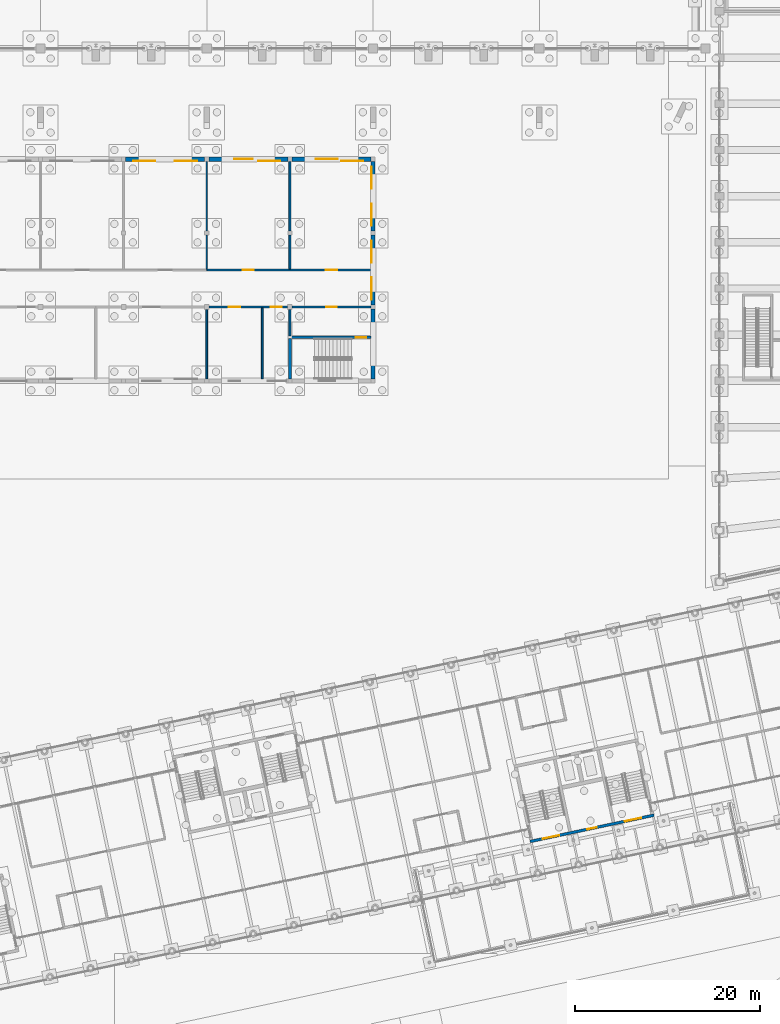
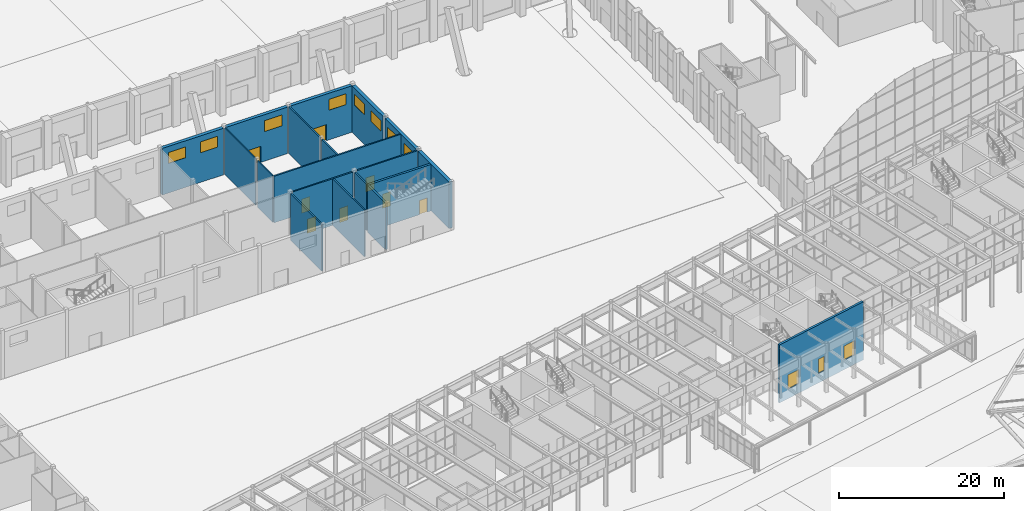
# One storey, part 171 of 239: 19 walls, 11 doors, 8 windows, 19 openings.
"""IFC4 building model written with IfcOpenShell, lengths in metres."""

from ifc_helpers import new_model, si_unit, direction, frame, frame_2d, origin, place, context, subcontext, project, spatial, rectangle, extrude, material, layer, layer_set, type_object, element, fill, save


model = new_model("IFC4")

# Units and contexts
model_context = context("Model", 3, precision=1e-05, world=origin(), true_north=direction((0.0, 1.0)))
body_context = subcontext(model_context, "Body", "Model", "MODEL_VIEW")
ifc_project = project(units=[si_unit("LENGTHUNIT", "METRE"), si_unit("AREAUNIT", "SQUARE_METRE"), si_unit("VOLUMEUNIT", "CUBIC_METRE"), si_unit("PLANEANGLEUNIT", "RADIAN"), si_unit("MASSUNIT", "GRAM", prefix="KILO")], contexts=[model_context])

# Site, building, storey
site_placement = place(None, origin())
site = spatial("IfcSite", under=ifc_project, at=site_placement, CompositionType="ELEMENT")
building_placement = place(site_placement, origin())
building = spatial("IfcBuilding", under=site, at=building_placement, Name="Okhra Congress Centre", CompositionType="ELEMENT")
storey_placement = place(building_placement, origin())
storey = spatial("IfcBuildingStorey", under=building, at=storey_placement, Name="L00", CompositionType="ELEMENT", Elevation=0.0)

# Walls
ifc_material_1 = material(Name="Insulated PIR sandwich panel with stainless steel skins", Category="steel")
ifc_layer_1 = layer(ifc_material_1, 0.14990234375)
ifc_layer_set_1 = layer_set([ifc_layer_1], Name="Insulated cold store panel wall 150 EI 45")
wall_type_1 = type_object("IfcWallType", Name="Insulated cold store panel wall 150 EI 45", PredefinedType="PARTITIONING", material=ifc_layer_set_1)
wall_1_placement = place(storey_placement, frame((100.0, 108.10009765625, 0.0), z_axis=(0.0, 0.0, 1.0), x_axis=(0.0, 1.0, 0.0)))
element("IfcWall", 1, at=wall_1_placement, inside=storey, type_object=wall_type_1, Name="SV.WALL.L00.65", PredefinedType="PARTITIONING", context=body_context, shape_type="SweptSolid", body=[
    extrude(rectangle(XDim=3.6748046875, YDim=0.14990234375, at=frame_2d((1.83740234375, 0.0))), origin(), (0.0, 0.0, 1.0), 6.89990234375),
])
wall_2_placement = place(storey_placement, frame((100.0, 112.22509765625, 0.0), z_axis=(0.0, 0.0, 1.0), x_axis=(0.0, 1.0, 0.0)))
element("IfcWall", 2, at=wall_2_placement, inside=storey, type_object=wall_type_1, Name="SV.WALL.L00.66", PredefinedType="PARTITIONING", context=body_context, shape_type="SweptSolid", body=[
    extrude(rectangle(XDim=7.5498046875, YDim=0.14990234375, at=frame_2d((3.77490234375, 0.0))), origin(), (0.0, 0.0, 1.0), 6.89990234375),
])

# Wall, openings, doors
ifc_material_2 = material(Name="Masonry blockwork (aerated concrete D500)", Category="masonry")
ifc_layer_2 = layer(ifc_material_2, 0.199951171875)
ifc_layer_set_2 = layer_set([ifc_layer_2], Name="Masonry block wall 200 EI 45")
wall_type_2 = type_object("IfcWallType", Name="Masonry block wall 200 EI 45", PredefinedType="SOLIDWALL", material=ifc_layer_set_2)
wall_3_placement = place(storey_placement, frame((100.25, 104.0, 0.0), z_axis=(0.0, 0.0, 1.0), x_axis=(1.0, 0.0, 0.0)))
wall_3 = element("IfcWall", 3, at=wall_3_placement, inside=storey, type_object=wall_type_2, Name="SV.WALL.L00.26", PredefinedType="SOLIDWALL", context=body_context, shape_type="SweptSolid", body=[
    extrude(rectangle(XDim=8.5, YDim=0.199951171875, at=frame_2d((4.25, 0.0))), origin(), (0.0, 0.0, 1.0), 6.89990234375),
])
opening_1_placement = place(wall_3_placement, frame((2.14990234375, 0.0, 0.0)))
opening_1 = element("IfcOpeningElement", 4, at=opening_1_placement, cuts=wall_3, Name="Opening L00-148", PredefinedType="OPENING", context=body_context, shape_type="SweptSolid", body=[
    extrude(rectangle(XDim=1.199951171875, YDim=2.10009765625, at=frame_2d((0.60009765625, 1.050048828125))), frame((0.0, 0.10986328125, 0.0), z_axis=(0.0, -1.0, 0.0), x_axis=(1.0, 0.0, 0.0)), (0.0, 0.0, 1.0), 0.219970703125),
])
opening_2_placement = place(wall_3_placement, frame((6.64990234375, 0.0, 0.0)))
opening_2 = element("IfcOpeningElement", 5, at=opening_2_placement, cuts=wall_3, Name="Opening L00-149", PredefinedType="OPENING", context=body_context, shape_type="SweptSolid", body=[
    extrude(rectangle(XDim=1.199951171875, YDim=2.10009765625, at=frame_2d((0.60009765625, 1.050048828125))), frame((0.0, 0.10986328125, 0.0), z_axis=(0.0, -1.0, 0.0), x_axis=(1.0, 0.0, 0.0)), (0.0, 0.0, 1.0), 0.219970703125),
])
ifc_material_3 = material(Name="Steel fire door leaf in steel frame, intumescent seals", Category="steel")
door_type_1 = type_object("IfcDoorType", Name="Steel fire door 1200x2100 EI 30", OperationType="NOTDEFINED", PredefinedType="DOOR", material=ifc_material_3)
door_1_placement = place(opening_1_placement, origin())
door_1 = element("IfcDoor", 6, at=door_1_placement, inside=storey, type_object=door_type_1, Name="Door L00-148", OperationType="SINGLE_SWING_RIGHT", OverallHeight=2.10009765625, OverallWidth=1.199951171875, PredefinedType="DOOR", context=body_context, shape_type="SweptSolid", body=[
    extrude(rectangle(XDim=1.199951171875, YDim=2.10009765625, at=frame_2d((0.60009765625, 1.050048828125))), frame((0.0, 0.02490234375, 0.0), z_axis=(0.0, -1.0, 0.0), x_axis=(1.0, 0.0, 0.0)), (0.0, 0.0, 1.0), 0.050048828125),
])
fill(opening_1, door_1)
door_2_placement = place(opening_2_placement, origin())
door_2 = element("IfcDoor", 7, at=door_2_placement, inside=storey, type_object=door_type_1, Name="Door L00-149", OperationType="SINGLE_SWING_LEFT", OverallHeight=2.10009765625, OverallWidth=1.199951171875, PredefinedType="DOOR", context=body_context, shape_type="SweptSolid", body=[
    extrude(rectangle(XDim=1.199951171875, YDim=2.10009765625, at=frame_2d((0.60009765625, 1.050048828125))), frame((0.0, 0.02490234375, 0.0), z_axis=(0.0, -1.0, 0.0), x_axis=(1.0, 0.0, 0.0)), (0.0, 0.0, 1.0), 0.050048828125),
])
fill(opening_2, door_2)

# Wall, opening, door
wall_4_placement = place(storey_placement, frame((109.25, 104.0, 0.0), z_axis=(0.0, 0.0, 1.0), x_axis=(1.0, 0.0, 0.0)))
wall_4 = element("IfcWall", 8, at=wall_4_placement, inside=storey, type_object=wall_type_2, Name="SV.WALL.L00.27", PredefinedType="SOLIDWALL", context=body_context, shape_type="SweptSolid", body=[
    extrude(rectangle(XDim=8.52490234375, YDim=0.199951171875, at=frame_2d((4.262451171875, 0.0))), origin(), (0.0, 0.0, 1.0), 6.89990234375),
])
opening_3_placement = place(wall_4_placement, frame((3.699951171875, 0.0, 0.0)))
opening_3 = element("IfcOpeningElement", 9, at=opening_3_placement, cuts=wall_4, Name="Opening L00-139", PredefinedType="OPENING", context=body_context, shape_type="SweptSolid", body=[
    extrude(rectangle(XDim=1.10009765625, YDim=2.10009765625, at=frame_2d((0.550048828125, 1.050048828125))), frame((0.0, 0.10986328125, 0.0), z_axis=(0.0, -1.0, 0.0), x_axis=(1.0, 0.0, 0.0)), (0.0, 0.0, 1.0), 0.219970703125),
])
door_type_2 = type_object("IfcDoorType", Name="Steel fire door 1100x2100 EI 30", OperationType="NOTDEFINED", PredefinedType="DOOR", material=ifc_material_3)
door_3_placement = place(opening_3_placement, frame((1.10009765625, 0.0, 0.0), z_axis=(0.0, 0.0, 1.0), x_axis=(-1.0, 0.0, 0.0)))
door_3 = element("IfcDoor", 10, at=door_3_placement, inside=storey, type_object=door_type_2, Name="Stair C lobby door", OperationType="SINGLE_SWING_RIGHT", OverallHeight=2.10009765625, OverallWidth=1.10009765625, PredefinedType="DOOR", context=body_context, shape_type="SweptSolid", body=[
    extrude(rectangle(XDim=1.10009765625, YDim=2.10009765625, at=frame_2d((0.550048828125, 1.050048828125))), frame((0.0, 0.02490234375, 0.0), z_axis=(0.0, -1.0, 0.0), x_axis=(1.0, 0.0, 0.0)), (0.0, 0.0, 1.0), 0.050048828125),
])
fill(opening_3, door_3)

# Wall, openings, doors
wall_5_placement = place(storey_placement, frame((100.0, 108.0, 0.0), z_axis=(0.0, 0.0, 1.0), x_axis=(1.0, 0.0, 0.0)))
wall_5 = element("IfcWall", 11, at=wall_5_placement, inside=storey, type_object=wall_type_2, Name="SV.WALL.L00.31", PredefinedType="SOLIDWALL", context=body_context, shape_type="SweptSolid", body=[
    extrude(rectangle(XDim=17.77490234375, YDim=0.199951171875, at=frame_2d((8.887451171875, 0.0))), origin(), (0.0, 0.0, 1.0), 6.89990234375),
])
opening_4_placement = place(wall_5_placement, frame((3.89990234375, 0.0, 0.0)))
opening_4 = element("IfcOpeningElement", 12, at=opening_4_placement, cuts=wall_5, Name="Opening L00-156", PredefinedType="OPENING", context=body_context, shape_type="SweptSolid", body=[
    extrude(rectangle(XDim=1.199951171875, YDim=2.10009765625, at=frame_2d((0.60009765625, 1.050048828125))), frame((0.0, 0.10986328125, 0.0), z_axis=(0.0, -1.0, 0.0), x_axis=(1.0, 0.0, 0.0)), (0.0, 0.0, 1.0), 0.219970703125),
])
opening_5_placement = place(wall_5_placement, frame((12.89990234375, 0.0, 0.0)))
opening_5 = element("IfcOpeningElement", 13, at=opening_5_placement, cuts=wall_5, Name="Opening L00-157", PredefinedType="OPENING", context=body_context, shape_type="SweptSolid", body=[
    extrude(rectangle(XDim=1.199951171875, YDim=2.10009765625, at=frame_2d((0.60009765625, 1.050048828125))), frame((0.0, 0.10986328125, 0.0), z_axis=(0.0, -1.0, 0.0), x_axis=(1.0, 0.0, 0.0)), (0.0, 0.0, 1.0), 0.219970703125),
])
door_4_placement = place(opening_4_placement, frame((1.199951171875, 0.0, 0.0), z_axis=(0.0, 0.0, 1.0), x_axis=(-1.0, 0.0, 0.0)))
door_4 = element("IfcDoor", 14, at=door_4_placement, inside=storey, type_object=door_type_1, Name="Door L00-156", OperationType="SINGLE_SWING_LEFT", OverallHeight=2.10009765625, OverallWidth=1.199951171875, PredefinedType="DOOR", context=body_context, shape_type="SweptSolid", body=[
    extrude(rectangle(XDim=1.199951171875, YDim=2.10009765625, at=frame_2d((0.60009765625, 1.050048828125))), frame((0.0, 0.02490234375, 0.0), z_axis=(0.0, -1.0, 0.0), x_axis=(1.0, 0.0, 0.0)), (0.0, 0.0, 1.0), 0.050048828125),
])
fill(opening_4, door_4)
door_5_placement = place(opening_5_placement, frame((1.199951171875, 0.0, 0.0), z_axis=(0.0, 0.0, 1.0), x_axis=(-1.0, 0.0, 0.0)))
door_5 = element("IfcDoor", 15, at=door_5_placement, inside=storey, type_object=door_type_1, Name="Door L00-157", OperationType="SINGLE_SWING_RIGHT", OverallHeight=2.10009765625, OverallWidth=1.199951171875, PredefinedType="DOOR", context=body_context, shape_type="SweptSolid", body=[
    extrude(rectangle(XDim=1.199951171875, YDim=2.10009765625, at=frame_2d((0.60009765625, 1.050048828125))), frame((0.0, 0.02490234375, 0.0), z_axis=(0.0, -1.0, 0.0), x_axis=(1.0, 0.0, 0.0)), (0.0, 0.0, 1.0), 0.050048828125),
])
fill(opening_5, door_5)

# Walls
wall_6_placement = place(storey_placement, frame((100.0, 96.22509765625, 0.0), z_axis=(0.0, 0.0, 1.0), x_axis=(0.0, 1.0, 0.0)))
element("IfcWall", 16, at=wall_6_placement, inside=storey, type_object=wall_type_2, Name="SV.WALL.L00.64", PredefinedType="SOLIDWALL", context=body_context, shape_type="SweptSolid", body=[
    extrude(rectangle(XDim=7.52490234375, YDim=0.199951171875, at=frame_2d((3.762451171875, 0.0))), origin(), (0.0, 0.0, 1.0), 6.89990234375),
])
wall_7_placement = place(storey_placement, frame((106.0, 96.22509765625, 0.0), z_axis=(0.0, 0.0, 1.0), x_axis=(0.0, 1.0, 0.0)))
element("IfcWall", 17, at=wall_7_placement, inside=storey, type_object=wall_type_2, Name="SV.WALL.L00.67", PredefinedType="SOLIDWALL", context=body_context, shape_type="SweptSolid", body=[
    extrude(rectangle(XDim=7.6748046875, YDim=0.199951171875, at=frame_2d((3.83740234375, 0.0))), origin(), (0.0, 0.0, 1.0), 6.89990234375),
])
wall_8_placement = place(storey_placement, frame((109.0, 100.875, 0.0), z_axis=(0.0, 0.0, 1.0), x_axis=(0.0, 1.0, 0.0)))
element("IfcWall", 18, at=wall_8_placement, inside=storey, type_object=wall_type_2, Name="SV.WALL.L00.69", PredefinedType="SOLIDWALL", context=body_context, shape_type="SweptSolid", body=[
    extrude(rectangle(XDim=2.875, YDim=0.199951171875, at=frame_2d((1.4375, 0.0))), origin(), (0.0, 0.0, 1.0), 6.89990234375),
])
wall_9_placement = place(storey_placement, frame((109.0, 108.10009765625, 0.0), z_axis=(0.0, 0.0, 1.0), x_axis=(0.0, 1.0, 0.0)))
element("IfcWall", 19, at=wall_9_placement, inside=storey, type_object=wall_type_2, Name="SV.WALL.L00.70", PredefinedType="SOLIDWALL", context=body_context, shape_type="SweptSolid", body=[
    extrude(rectangle(XDim=3.6748046875, YDim=0.199951171875, at=frame_2d((1.83740234375, 0.0))), origin(), (0.0, 0.0, 1.0), 6.89990234375),
])
wall_10_placement = place(storey_placement, frame((109.0, 112.22509765625, 0.0), z_axis=(0.0, 0.0, 1.0), x_axis=(0.0, 1.0, 0.0)))
element("IfcWall", 20, at=wall_10_placement, inside=storey, type_object=wall_type_2, Name="SV.WALL.L00.71", PredefinedType="SOLIDWALL", context=body_context, shape_type="SweptSolid", body=[
    extrude(rectangle(XDim=7.5498046875, YDim=0.199951171875, at=frame_2d((3.77490234375, 0.0))), origin(), (0.0, 0.0, 1.0), 6.89990234375),
])

# Wall, openings, doors
ifc_material_4 = material(Name="Concrete C35/45", Category="concrete")
ifc_layer_3 = layer(ifc_material_4, 0.300048828125)
ifc_layer_set_3 = layer_set([ifc_layer_3], Name="RC core wall 300 REI 120 C35/45")
wall_type_3 = type_object("IfcWallType", Name="RC core wall 300 REI 120 C35/45", PredefinedType="SHEAR", material=ifc_layer_set_3)
wall_11_placement = place(storey_placement, frame((135.008544921875, 46.1416015625, -1.39990234375), z_axis=(0.0, 0.0, 1.0), x_axis=(0.978147662755, 0.20791139903, 0.0)))
wall_11 = element("IfcWall", 21, at=wall_11_placement, inside=storey, type_object=wall_type_3, Name="BX.WALL.L00.K3S", PredefinedType="SHEAR", context=body_context, shape_type="SweptSolid", body=[
    extrude(rectangle(XDim=13.699951171875, YDim=0.300048828125, at=frame_2d((6.85009765625, 0.0))), origin(), (0.0, 0.0, 1.0), 8.599853515625),
])
opening_6_placement = place(wall_11_placement, frame((1.39990234375, 0.0, 1.39990234375)))
opening_6 = element("IfcOpeningElement", 22, at=opening_6_placement, cuts=wall_11, Name="Opening L00-264", PredefinedType="OPENING", context=body_context, shape_type="SweptSolid", body=[
    extrude(rectangle(XDim=1.800048828125, YDim=2.10009765625, at=frame_2d((0.89990234375, 1.050048828125))), frame((0.0, 0.159912109375, 0.0), z_axis=(0.0, -1.0, 0.0), x_axis=(1.0, 0.0, 0.0)), (0.0, 0.0, 1.0), 0.320068359375),
])
opening_7_placement = place(wall_11_placement, frame((10.5, 0.0, 1.39990234375)))
opening_7 = element("IfcOpeningElement", 23, at=opening_7_placement, cuts=wall_11, Name="Opening L00-265", PredefinedType="OPENING", context=body_context, shape_type="SweptSolid", body=[
    extrude(rectangle(XDim=1.800048828125, YDim=2.10009765625, at=frame_2d((0.89990234375, 1.050048828125))), frame((0.0, 0.159912109375, 0.0), z_axis=(0.0, -1.0, 0.0), x_axis=(1.0, 0.0, 0.0)), (0.0, 0.0, 1.0), 0.320068359375),
])
opening_8_placement = place(wall_11_placement, frame((6.35009765625, 0.0, 1.39990234375)))
opening_8 = element("IfcOpeningElement", 24, at=opening_8_placement, cuts=wall_11, Name="Opening L00-266", PredefinedType="OPENING", context=body_context, shape_type="SweptSolid", body=[
    extrude(rectangle(XDim=1.0, YDim=2.10009765625, at=frame_2d((0.5, 1.050048828125))), frame((0.0, 0.159912109375, 0.0), z_axis=(0.0, -1.0, 0.0), x_axis=(1.0, 0.0, 0.0)), (0.0, 0.0, 1.0), 0.320068359375),
])
door_type_3 = type_object("IfcDoorType", Name="Steel fire door 1000x2100 EI 30", OperationType="NOTDEFINED", PredefinedType="DOOR", material=ifc_material_3)
door_6_placement = place(opening_8_placement, frame((1.0, 0.0, 0.0), z_axis=(0.0, 0.0, 1.0), x_axis=(-1.0, 0.0, 0.0)))
door_6 = element("IfcDoor", 25, at=door_6_placement, inside=storey, type_object=door_type_3, Name="Door L00-266", OperationType="SINGLE_SWING_LEFT", OverallHeight=2.10009765625, OverallWidth=1.0, PredefinedType="DOOR", context=body_context, shape_type="SweptSolid", body=[
    extrude(rectangle(XDim=1.0, YDim=2.10009765625, at=frame_2d((0.5, 1.050048828125))), frame((0.0, 0.02490234375, 0.0), z_axis=(0.0, -1.0, 0.0), x_axis=(1.0, 0.0, 0.0)), (0.0, 0.0, 1.0), 0.050048828125),
])
fill(opening_8, door_6)
ifc_material_5 = material(Name="Steel fire door leaves in steel frame, intumescent seals", Category="steel")
door_type_4 = type_object("IfcDoorType", Name="Steel fire door pair 1800x2100 EI 30", OperationType="NOTDEFINED", PredefinedType="DOOR", material=ifc_material_5)
door_7_placement = place(opening_6_placement, frame((1.800048828125, 0.0, 0.0), z_axis=(0.0, 0.0, 1.0), x_axis=(-1.0, 0.0, 0.0)))
door_7 = element("IfcDoor", 26, at=door_7_placement, inside=storey, type_object=door_type_4, Name="Door L00-264", OperationType="DOUBLE_DOOR_SINGLE_SWING", OverallHeight=2.10009765625, OverallWidth=1.800048828125, PredefinedType="DOOR", context=body_context, shape_type="SweptSolid", body=[
    extrude(rectangle(XDim=1.800048828125, YDim=2.10009765625, at=frame_2d((0.89990234375, 1.050048828125))), frame((0.0, 0.02490234375, 0.0), z_axis=(0.0, -1.0, 0.0), x_axis=(1.0, 0.0, 0.0)), (0.0, 0.0, 1.0), 0.050048828125),
])
fill(opening_6, door_7)
door_8_placement = place(opening_7_placement, frame((1.800048828125, 0.0, 0.0), z_axis=(0.0, 0.0, 1.0), x_axis=(-1.0, 0.0, 0.0)))
door_8 = element("IfcDoor", 27, at=door_8_placement, inside=storey, type_object=door_type_4, Name="Door L00-265", OperationType="DOUBLE_DOOR_SINGLE_SWING", OverallHeight=2.10009765625, OverallWidth=1.800048828125, PredefinedType="DOOR", context=body_context, shape_type="SweptSolid", body=[
    extrude(rectangle(XDim=1.800048828125, YDim=2.10009765625, at=frame_2d((0.89990234375, 1.050048828125))), frame((0.0, 0.02490234375, 0.0), z_axis=(0.0, -1.0, 0.0), x_axis=(1.0, 0.0, 0.0)), (0.0, 0.0, 1.0), 0.050048828125),
])
fill(opening_7, door_8)

# Wall, opening, door
wall_12_placement = place(storey_placement, frame((109.0, 100.72509765625, 0.0), z_axis=(0.0, 0.0, 1.0), x_axis=(1.0, 0.0, 0.0)))
wall_12 = element("IfcWall", 28, at=wall_12_placement, inside=storey, type_object=wall_type_3, Name="SV.WALL.L00.14", PredefinedType="SHEAR", context=body_context, shape_type="SweptSolid", body=[
    extrude(rectangle(XDim=8.77490234375, YDim=0.300048828125, at=frame_2d((4.387451171875, 0.0))), origin(), (0.0, 0.0, 1.0), 6.89990234375),
])
opening_9_placement = place(wall_12_placement, frame((7.14990234375, 0.0, 0.0)))
opening_9 = element("IfcOpeningElement", 29, at=opening_9_placement, cuts=wall_12, Name="Opening L00-140", PredefinedType="OPENING", context=body_context, shape_type="SweptSolid", body=[
    extrude(rectangle(XDim=1.10009765625, YDim=2.10009765625, at=frame_2d((0.550048828125, 1.050048828125))), frame((0.0, 0.159912109375, 0.0), z_axis=(0.0, -1.0, 0.0), x_axis=(1.0, 0.0, 0.0)), (0.0, 0.0, 1.0), 0.320068359375),
])
door_9_placement = place(opening_9_placement, frame((1.10009765625, 0.0, 0.0), z_axis=(0.0, 0.0, 1.0), x_axis=(-1.0, 0.0, 0.0)))
door_9 = element("IfcDoor", 30, at=door_9_placement, inside=storey, type_object=door_type_2, Name="Door L00-140", OperationType="SINGLE_SWING_LEFT", OverallHeight=2.10009765625, OverallWidth=1.10009765625, PredefinedType="DOOR", context=body_context, shape_type="SweptSolid", body=[
    extrude(rectangle(XDim=1.10009765625, YDim=2.10009765625, at=frame_2d((0.550048828125, 1.050048828125))), frame((0.0, 0.02490234375, 0.0), z_axis=(0.0, -1.0, 0.0), x_axis=(1.0, 0.0, 0.0)), (0.0, 0.0, 1.0), 0.050048828125),
])
fill(opening_9, door_9)

# Walls
wall_13_placement = place(storey_placement, frame((109.0, 96.22509765625, 0.0), z_axis=(0.0, 0.0, 1.0), x_axis=(0.0, 1.0, 0.0)))
element("IfcWall", 31, at=wall_13_placement, inside=storey, type_object=wall_type_3, Name="SV.WALL.L00.68", PredefinedType="SHEAR", context=body_context, shape_type="SweptSolid", body=[
    extrude(rectangle(XDim=4.349853515625, YDim=0.300048828125, at=frame_2d((2.1748046875, 0.0))), origin(), (0.0, 0.0, 1.0), 6.89990234375),
])
ifc_material_6 = material(Name="Concrete C30/37", Category="concrete")
ifc_layer_4 = layer(ifc_material_6, 0.449951171875)
ifc_layer_set_4 = layer_set([ifc_layer_4], Name="RC facade wall 450 REI 120 C30/37")
wall_type_4 = type_object("IfcWallType", Name="RC facade wall 450 REI 120 C30/37", PredefinedType="SOLIDWALL", material=ifc_layer_set_4)
wall_14_placement = place(storey_placement, frame((118.0, 96.22509765625, 0.0), z_axis=(0.0, 0.0, 1.0), x_axis=(0.0, 1.0, 0.0)))
element("IfcWall", 32, at=wall_14_placement, inside=storey, type_object=wall_type_4, Name="SV.WALL.L00.72", PredefinedType="SOLIDWALL", context=body_context, shape_type="SweptSolid", body=[
    extrude(rectangle(XDim=7.5498046875, YDim=0.449951171875, at=frame_2d((3.77490234375, 0.0))), origin(), (0.0, 0.0, 1.0), 6.89990234375),
])

# Wall, openings, windows
ifc_material_7 = material(Name="Render on mineral wool insulation over masonry backing", Category="masonry")
ifc_layer_5 = layer(ifc_material_7, 0.449951171875)
ifc_layer_set_5 = layer_set([ifc_layer_5], Name="Rendered insulated wall 450 EI 45")
wall_type_5 = type_object("IfcWallType", Name="Rendered insulated wall 450 EI 45", PredefinedType="SOLIDWALL", material=ifc_layer_set_5)
wall_15_placement = place(storey_placement, frame((99.77490234375, 120.0, 0.0), z_axis=(0.0, 0.0, 1.0), x_axis=(-1.0, 0.0, 0.0)))
wall_15 = element("IfcWall", 33, at=wall_15_placement, inside=storey, type_object=wall_type_5, Name="SV.WALL.L00.39", PredefinedType="SOLIDWALL", context=body_context, shape_type="SweptSolid", body=[
    extrude(rectangle(XDim=8.5498046875, YDim=0.449951171875, at=frame_2d((4.27490234375, 0.0))), origin(), (0.0, 0.0, 1.0), 6.89990234375),
])
opening_10_placement = place(wall_15_placement, frame((5.324951171875, 0.0, 4.39990234375)))
opening_10 = element("IfcOpeningElement", 34, at=opening_10_placement, cuts=wall_15, Name="Opening WN14", PredefinedType="OPENING", context=body_context, shape_type="SweptSolid", body=[
    extrude(rectangle(XDim=2.39990234375, YDim=1.60009765625, at=frame_2d((1.199951171875, 0.800048828125))), frame((0.0, 0.23486328125, 0.0), z_axis=(0.0, -1.0, 0.0), x_axis=(1.0, 0.0, 0.0)), (0.0, 0.0, 1.0), 0.469970703125),
])
opening_11_placement = place(wall_15_placement, frame((0.824951171875, 0.0, 4.39990234375)))
opening_11 = element("IfcOpeningElement", 35, at=opening_11_placement, cuts=wall_15, Name="Opening WN14", PredefinedType="OPENING", context=body_context, shape_type="SweptSolid", body=[
    extrude(rectangle(XDim=2.39990234375, YDim=1.60009765625, at=frame_2d((1.199951171875, 0.800048828125))), frame((0.0, 0.23486328125, 0.0), z_axis=(0.0, -1.0, 0.0), x_axis=(1.0, 0.0, 0.0)), (0.0, 0.0, 1.0), 0.469970703125),
])
ifc_material_8 = material(Name="Thermally broken aluminium frame, triple glazing", Category="aluminium")
window_type = type_object("IfcWindowType", Name="Fixed window 2400x1600", PartitioningType="SINGLE_PANEL", PredefinedType="WINDOW", material=ifc_material_8)
window_1_placement = place(opening_10_placement, origin())
window_1 = element("IfcWindow", 36, at=window_1_placement, inside=storey, type_object=window_type, Name="SV.WIN.L00.19", OverallHeight=1.60009765625, OverallWidth=2.39990234375, PartitioningType="SINGLE_PANEL", PredefinedType="WINDOW", context=body_context, shape_type="SweptSolid", body=[
    extrude(rectangle(XDim=2.39990234375, YDim=1.60009765625, at=frame_2d((1.199951171875, 0.800048828125))), frame((0.0, 0.215087890625, 0.0), z_axis=(0.0, -1.0, 0.0), x_axis=(1.0, 0.0, 0.0)), (0.0, 0.0, 1.0), 0.06005859375),
])
fill(opening_10, window_1)
window_2_placement = place(opening_11_placement, origin())
window_2 = element("IfcWindow", 37, at=window_2_placement, inside=storey, type_object=window_type, Name="SV.WIN.L00.20", OverallHeight=1.60009765625, OverallWidth=2.39990234375, PartitioningType="SINGLE_PANEL", PredefinedType="WINDOW", context=body_context, shape_type="SweptSolid", body=[
    extrude(rectangle(XDim=2.39990234375, YDim=1.60009765625, at=frame_2d((1.199951171875, 0.800048828125))), frame((0.0, 0.215087890625, 0.0), z_axis=(0.0, -1.0, 0.0), x_axis=(1.0, 0.0, 0.0)), (0.0, 0.0, 1.0), 0.06005859375),
])
fill(opening_11, window_2)

# Wall, openings, window, door
wall_16_placement = place(storey_placement, frame((108.77490234375, 120.0, 0.0), z_axis=(0.0, 0.0, 1.0), x_axis=(-1.0, 0.0, 0.0)))
wall_16 = element("IfcWall", 38, at=wall_16_placement, inside=storey, type_object=wall_type_5, Name="SV.WALL.L00.40", PredefinedType="SOLIDWALL", context=body_context, shape_type="SweptSolid", body=[
    extrude(rectangle(XDim=8.5498046875, YDim=0.449951171875, at=frame_2d((4.27490234375, 0.0))), origin(), (0.0, 0.0, 1.0), 6.89990234375),
])
opening_12_placement = place(wall_16_placement, frame((3.77490234375, 0.0, 0.0)))
opening_12 = element("IfcOpeningElement", 39, at=opening_12_placement, cuts=wall_16, Name="Opening L00-164", PredefinedType="OPENING", context=body_context, shape_type="SweptSolid", body=[
    extrude(rectangle(XDim=2.0, YDim=2.39990234375, at=frame_2d((1.0, 1.199951171875))), frame((0.0, 0.23486328125, 0.0), z_axis=(0.0, -1.0, 0.0), x_axis=(1.0, 0.0, 0.0)), (0.0, 0.0, 1.0), 0.469970703125),
])
opening_13_placement = place(wall_16_placement, frame((0.824951171875, 0.0, 4.39990234375)))
opening_13 = element("IfcOpeningElement", 40, at=opening_13_placement, cuts=wall_16, Name="Opening WN14", PredefinedType="OPENING", context=body_context, shape_type="SweptSolid", body=[
    extrude(rectangle(XDim=2.39990234375, YDim=1.60009765625, at=frame_2d((1.199951171875, 0.800048828125))), frame((0.0, 0.23486328125, 0.0), z_axis=(0.0, -1.0, 0.0), x_axis=(1.0, 0.0, 0.0)), (0.0, 0.0, 1.0), 0.469970703125),
])
window_3_placement = place(opening_13_placement, origin())
window_3 = element("IfcWindow", 41, at=window_3_placement, inside=storey, type_object=window_type, Name="SV.WIN.L00.21", OverallHeight=1.60009765625, OverallWidth=2.39990234375, PartitioningType="SINGLE_PANEL", PredefinedType="WINDOW", context=body_context, shape_type="SweptSolid", body=[
    extrude(rectangle(XDim=2.39990234375, YDim=1.60009765625, at=frame_2d((1.199951171875, 0.800048828125))), frame((0.0, 0.215087890625, 0.0), z_axis=(0.0, -1.0, 0.0), x_axis=(1.0, 0.0, 0.0)), (0.0, 0.0, 1.0), 0.06005859375),
])
fill(opening_13, window_3)
door_type_5 = type_object("IfcDoorType", Name="Steel fire door pair 2000x2400 EI 30", OperationType="NOTDEFINED", PredefinedType="DOOR", material=ifc_material_5)
door_10_placement = place(opening_12_placement, frame((2.0, 0.0, 0.0), z_axis=(0.0, 0.0, 1.0), x_axis=(-1.0, 0.0, 0.0)))
door_10 = element("IfcDoor", 42, at=door_10_placement, inside=storey, type_object=door_type_5, Name="Door L00-164", OperationType="DOUBLE_DOOR_SINGLE_SWING", OverallHeight=2.39990234375, OverallWidth=2.0, PredefinedType="DOOR", context=body_context, shape_type="SweptSolid", body=[
    extrude(rectangle(XDim=2.0, YDim=2.39990234375, at=frame_2d((1.0, 1.199951171875))), frame((0.0, 0.02490234375, 0.0), z_axis=(0.0, -1.0, 0.0), x_axis=(1.0, 0.0, 0.0)), (0.0, 0.0, 1.0), 0.050048828125),
])
fill(opening_12, door_10)

wall_17_placement = place(storey_placement, frame((117.77490234375, 120.0, 0.0), z_axis=(0.0, 0.0, 1.0), x_axis=(-1.0, 0.0, 0.0)))
wall_17 = element("IfcWall", 43, at=wall_17_placement, inside=storey, type_object=wall_type_5, Name="SV.WALL.L00.41", PredefinedType="SOLIDWALL", context=body_context, shape_type="SweptSolid", body=[
    extrude(rectangle(XDim=8.5498046875, YDim=0.449951171875, at=frame_2d((4.27490234375, 0.0))), origin(), (0.0, 0.0, 1.0), 6.89990234375),
])
opening_14_placement = place(wall_17_placement, frame((3.574951171875, 0.0, 0.0)))
opening_14 = element("IfcOpeningElement", 44, at=opening_14_placement, cuts=wall_17, Name="Opening L00-165", PredefinedType="OPENING", context=body_context, shape_type="SweptSolid", body=[
    extrude(rectangle(XDim=2.39990234375, YDim=2.39990234375, at=frame_2d((1.199951171875, 1.199951171875))), frame((0.0, 0.23486328125, 0.0), z_axis=(0.0, -1.0, 0.0), x_axis=(1.0, 0.0, 0.0)), (0.0, 0.0, 1.0), 0.469970703125),
])
opening_15_placement = place(wall_17_placement, frame((0.824951171875, 0.0, 4.39990234375)))
opening_15 = element("IfcOpeningElement", 45, at=opening_15_placement, cuts=wall_17, Name="Opening WN14", PredefinedType="OPENING", context=body_context, shape_type="SweptSolid", body=[
    extrude(rectangle(XDim=2.39990234375, YDim=1.60009765625, at=frame_2d((1.199951171875, 0.800048828125))), frame((0.0, 0.23486328125, 0.0), z_axis=(0.0, -1.0, 0.0), x_axis=(1.0, 0.0, 0.0)), (0.0, 0.0, 1.0), 0.469970703125),
])
window_4_placement = place(opening_15_placement, origin())
window_4 = element("IfcWindow", 46, at=window_4_placement, inside=storey, type_object=window_type, Name="SV.WIN.L00.22", OverallHeight=1.60009765625, OverallWidth=2.39990234375, PartitioningType="SINGLE_PANEL", PredefinedType="WINDOW", context=body_context, shape_type="SweptSolid", body=[
    extrude(rectangle(XDim=2.39990234375, YDim=1.60009765625, at=frame_2d((1.199951171875, 0.800048828125))), frame((0.0, 0.215087890625, 0.0), z_axis=(0.0, -1.0, 0.0), x_axis=(1.0, 0.0, 0.0)), (0.0, 0.0, 1.0), 0.06005859375),
])
fill(opening_15, window_4)
ifc_material_9 = material(Name="Insulated steel slat roller shutter", Category="steel")
door_type_6 = type_object("IfcDoorType", Name="Roller shutter door 2400x2400", OperationType="ROLLINGUP", PredefinedType="DOOR", material=ifc_material_9)
door_11_placement = place(opening_14_placement, frame((2.39990234375, 0.0, 0.0), z_axis=(0.0, 0.0, 1.0), x_axis=(-1.0, 0.0, 0.0)))
door_11 = element("IfcDoor", 47, at=door_11_placement, inside=storey, type_object=door_type_6, Name="Door L00-165", OperationType="ROLLINGUP", OverallHeight=2.39990234375, OverallWidth=2.39990234375, PredefinedType="DOOR", context=body_context, shape_type="SweptSolid", body=[
    extrude(rectangle(XDim=2.39990234375, YDim=2.39990234375, at=frame_2d((1.199951171875, 1.199951171875))), frame((0.0, 0.02490234375, 0.0), z_axis=(0.0, -1.0, 0.0), x_axis=(1.0, 0.0, 0.0)), (0.0, 0.0, 1.0), 0.050048828125),
])
fill(opening_14, door_11)

# Wall, openings, windows
wall_18_placement = place(storey_placement, frame((118.0, 104.22509765625, 0.0), z_axis=(0.0, 0.0, 1.0), x_axis=(0.0, 1.0, 0.0)))
wall_18 = element("IfcWall", 48, at=wall_18_placement, inside=storey, type_object=wall_type_5, Name="SV.WALL.L00.73", PredefinedType="SOLIDWALL", context=body_context, shape_type="SweptSolid", body=[
    extrude(rectangle(XDim=7.5498046875, YDim=0.449951171875, at=frame_2d((3.77490234375, 0.0))), origin(), (0.0, 0.0, 1.0), 6.89990234375),
])
opening_16_placement = place(wall_18_placement, frame((0.574951171875, 0.0, 4.39990234375)))
opening_16 = element("IfcOpeningElement", 49, at=opening_16_placement, cuts=wall_18, Name="Opening WN14", PredefinedType="OPENING", context=body_context, shape_type="SweptSolid", body=[
    extrude(rectangle(XDim=2.39990234375, YDim=1.60009765625, at=frame_2d((1.199951171875, 0.800048828125))), frame((0.0, 0.23486328125, 0.0), z_axis=(0.0, -1.0, 0.0), x_axis=(1.0, 0.0, 0.0)), (0.0, 0.0, 1.0), 0.469970703125),
])
opening_17_placement = place(wall_18_placement, frame((4.574951171875, 0.0, 4.39990234375)))
opening_17 = element("IfcOpeningElement", 50, at=opening_17_placement, cuts=wall_18, Name="Opening WN14", PredefinedType="OPENING", context=body_context, shape_type="SweptSolid", body=[
    extrude(rectangle(XDim=2.39990234375, YDim=1.60009765625, at=frame_2d((1.199951171875, 0.800048828125))), frame((0.0, 0.23486328125, 0.0), z_axis=(0.0, -1.0, 0.0), x_axis=(1.0, 0.0, 0.0)), (0.0, 0.0, 1.0), 0.469970703125),
])
window_5_placement = place(opening_16_placement, origin())
window_5 = element("IfcWindow", 51, at=window_5_placement, inside=storey, type_object=window_type, Name="SV.WIN.L00.27", OverallHeight=1.60009765625, OverallWidth=2.39990234375, PartitioningType="SINGLE_PANEL", PredefinedType="WINDOW", context=body_context, shape_type="SweptSolid", body=[
    extrude(rectangle(XDim=2.39990234375, YDim=1.60009765625, at=frame_2d((1.199951171875, 0.800048828125))), frame((0.0, 0.215087890625, 0.0), z_axis=(0.0, -1.0, 0.0), x_axis=(1.0, 0.0, 0.0)), (0.0, 0.0, 1.0), 0.06005859375),
])
fill(opening_16, window_5)
window_6_placement = place(opening_17_placement, origin())
window_6 = element("IfcWindow", 52, at=window_6_placement, inside=storey, type_object=window_type, Name="SV.WIN.L00.28", OverallHeight=1.60009765625, OverallWidth=2.39990234375, PartitioningType="SINGLE_PANEL", PredefinedType="WINDOW", context=body_context, shape_type="SweptSolid", body=[
    extrude(rectangle(XDim=2.39990234375, YDim=1.60009765625, at=frame_2d((1.199951171875, 0.800048828125))), frame((0.0, 0.215087890625, 0.0), z_axis=(0.0, -1.0, 0.0), x_axis=(1.0, 0.0, 0.0)), (0.0, 0.0, 1.0), 0.06005859375),
])
fill(opening_17, window_6)

wall_19_placement = place(storey_placement, frame((118.0, 112.22509765625, 0.0), z_axis=(0.0, 0.0, 1.0), x_axis=(0.0, 1.0, 0.0)))
wall_19 = element("IfcWall", 53, at=wall_19_placement, inside=storey, type_object=wall_type_5, Name="SV.WALL.L00.74", PredefinedType="SOLIDWALL", context=body_context, shape_type="SweptSolid", body=[
    extrude(rectangle(XDim=7.5498046875, YDim=0.449951171875, at=frame_2d((3.77490234375, 0.0))), origin(), (0.0, 0.0, 1.0), 6.89990234375),
])
opening_18_placement = place(wall_19_placement, frame((0.574951171875, 0.0, 4.39990234375)))
opening_18 = element("IfcOpeningElement", 54, at=opening_18_placement, cuts=wall_19, Name="Opening WN14", PredefinedType="OPENING", context=body_context, shape_type="SweptSolid", body=[
    extrude(rectangle(XDim=2.39990234375, YDim=1.60009765625, at=frame_2d((1.199951171875, 0.800048828125))), frame((0.0, 0.23486328125, 0.0), z_axis=(0.0, -1.0, 0.0), x_axis=(1.0, 0.0, 0.0)), (0.0, 0.0, 1.0), 0.469970703125),
])
opening_19_placement = place(wall_19_placement, frame((4.574951171875, 0.0, 4.39990234375)))
opening_19 = element("IfcOpeningElement", 55, at=opening_19_placement, cuts=wall_19, Name="Opening WN14", PredefinedType="OPENING", context=body_context, shape_type="SweptSolid", body=[
    extrude(rectangle(XDim=2.39990234375, YDim=1.60009765625, at=frame_2d((1.199951171875, 0.800048828125))), frame((0.0, 0.23486328125, 0.0), z_axis=(0.0, -1.0, 0.0), x_axis=(1.0, 0.0, 0.0)), (0.0, 0.0, 1.0), 0.469970703125),
])
window_7_placement = place(opening_18_placement, origin())
window_7 = element("IfcWindow", 56, at=window_7_placement, inside=storey, type_object=window_type, Name="SV.WIN.L00.29", OverallHeight=1.60009765625, OverallWidth=2.39990234375, PartitioningType="SINGLE_PANEL", PredefinedType="WINDOW", context=body_context, shape_type="SweptSolid", body=[
    extrude(rectangle(XDim=2.39990234375, YDim=1.60009765625, at=frame_2d((1.199951171875, 0.800048828125))), frame((0.0, 0.215087890625, 0.0), z_axis=(0.0, -1.0, 0.0), x_axis=(1.0, 0.0, 0.0)), (0.0, 0.0, 1.0), 0.06005859375),
])
fill(opening_18, window_7)
window_8_placement = place(opening_19_placement, origin())
window_8 = element("IfcWindow", 57, at=window_8_placement, inside=storey, type_object=window_type, Name="SV.WIN.L00.30", OverallHeight=1.60009765625, OverallWidth=2.39990234375, PartitioningType="SINGLE_PANEL", PredefinedType="WINDOW", context=body_context, shape_type="SweptSolid", body=[
    extrude(rectangle(XDim=2.39990234375, YDim=1.60009765625, at=frame_2d((1.199951171875, 0.800048828125))), frame((0.0, 0.215087890625, 0.0), z_axis=(0.0, -1.0, 0.0), x_axis=(1.0, 0.0, 0.0)), (0.0, 0.0, 1.0), 0.06005859375),
])
fill(opening_19, window_8)

save(model, "model.ifc")
